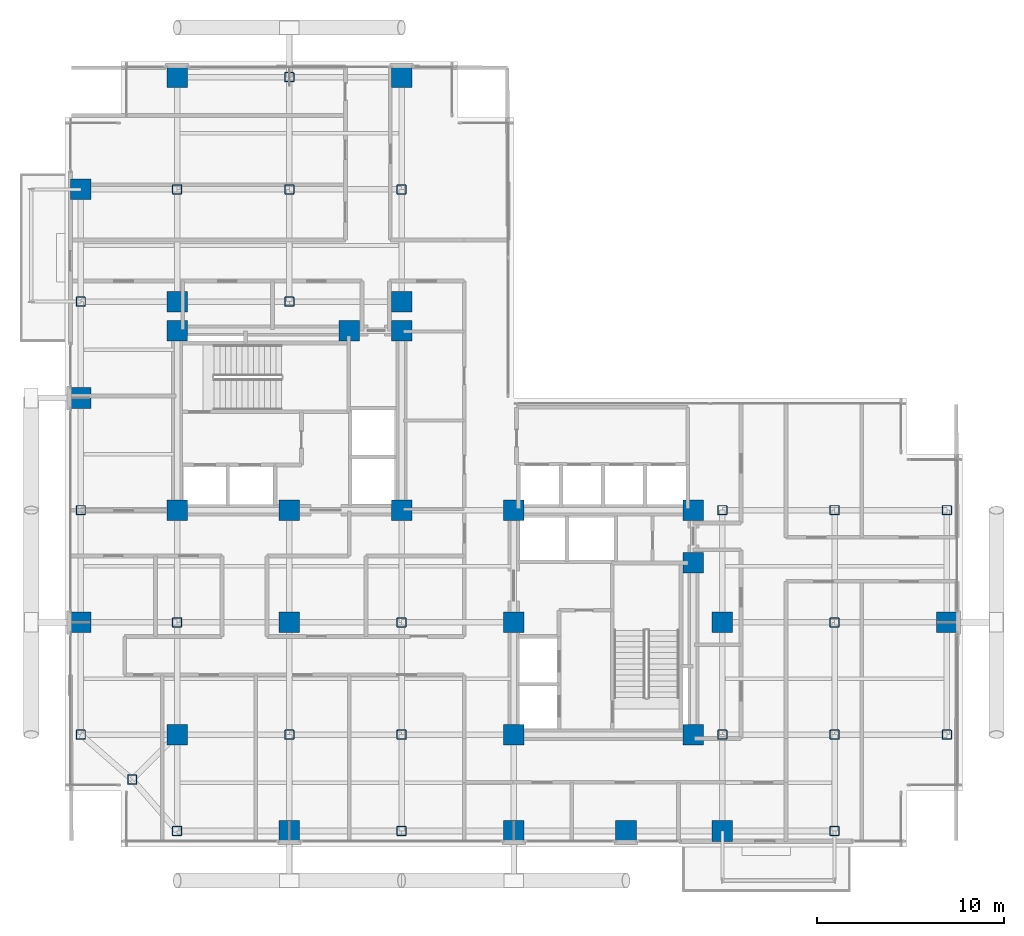
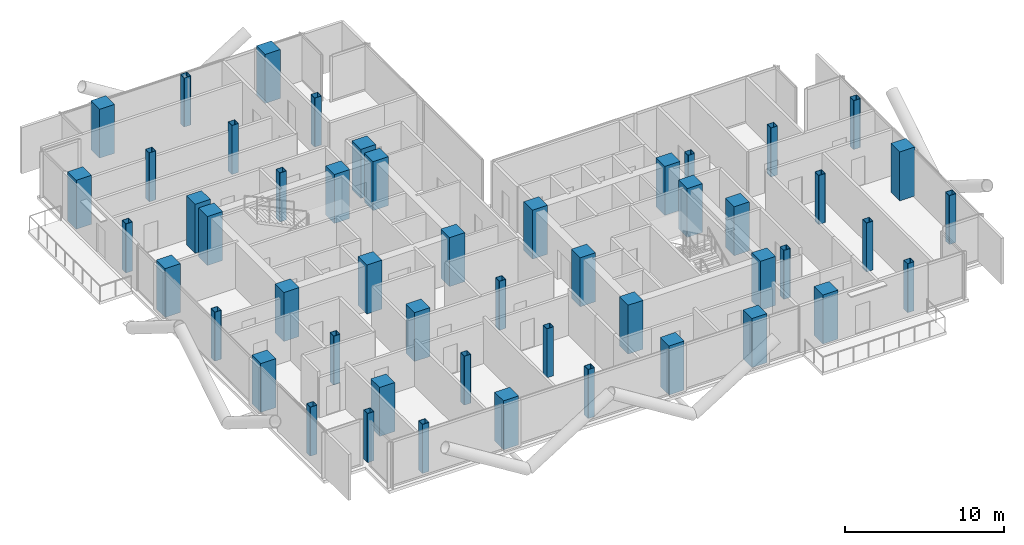
# One storey, part 1 of 28: 50 columns.
"""IFC4 building model written with IfcOpenShell, lengths in metres."""

from ifc_helpers import new_model, si_unit, direction, frame, origin, origin_2d, place, context, subcontext, project, spatial, rectangle, hollow_rectangle, extrude, material, material_profile, profile_set, type_object, element, save


model = new_model("IFC4")

# Units and contexts
model_context = context("Model", 3, precision=1e-05, world=origin(), true_north=direction((0.0, 1.0)))
body_context = subcontext(model_context, "Body", "Model", "MODEL_VIEW")
ifc_project = project(units=[si_unit("LENGTHUNIT", "METRE"), si_unit("AREAUNIT", "SQUARE_METRE"), si_unit("VOLUMEUNIT", "CUBIC_METRE"), si_unit("PLANEANGLEUNIT", "RADIAN"), si_unit("MASSUNIT", "GRAM", prefix="KILO"), si_unit("THERMODYNAMICTEMPERATUREUNIT", "KELVIN"), si_unit("POWERUNIT", "WATT")], contexts=[model_context])

# Site, building, storey
site_placement = place(None, origin())
site = spatial("IfcSite", under=ifc_project, at=site_placement, CompositionType="ELEMENT")
building_placement = place(site_placement, origin())
building = spatial("IfcBuilding", under=site, at=building_placement, Name="Svarakhadi Broadcast Tower", CompositionType="ELEMENT")
storey_placement = place(building_placement, frame((0.0, 0.0, 123.14990234375)))
storey = spatial("IfcBuildingStorey", under=building, at=storey_placement, Name="L29", CompositionType="ELEMENT", Elevation=123.14990234375)

# Columns
ifc_material_1 = material(Name="Concrete C50/60 (IS 456 M60)", Category="concrete")
ifc_material_profile_1 = material_profile(ifc_material_1, rectangle(XDim=1.10009765625, YDim=1.10009765625, at=origin_2d()), Name="RC 1100x1100")
ifc_profile_set_1 = profile_set([ifc_material_profile_1], Name="Concrete C50/60 (IS 456 M60)")
column_type_1 = type_object("IfcColumnType", Name="Col_RC1100", PredefinedType="COLUMN", material=ifc_profile_set_1)
for number, where, z_axis, x_axis, name in (
    (1, (6.0, 18.0, 0.0), (0.0, 0.0, 1.0), (1.0, 0.0, 0.0), "L29 Column CW1"),
    (2, (12.0, 18.0, 0.0), (0.0, 0.0, 1.0), (1.0, 0.0, 0.0), "L29 Column CW2"),
    (3, (18.0, 18.0, 0.0), (0.0, 0.0, 1.0), (1.0, 0.0, 0.0), "L29 Column CW3"),
    (4, (6.0, 27.60009765625, 0.0), (0.0, 0.0, 1.0), (1.0, 0.0, 0.0), "L29 Column CW4"),
    (5, (15.199951171875, 27.60009765625, 0.0), (0.0, 0.0, 1.0), (1.0, 0.0, 0.0), "L29 Column CW5"),
    (6, (18.0, 27.60009765625, 0.0), (0.0, 0.0, 1.0), (1.0, 0.0, 0.0), "L29 Column CW6"),
    (7, (24.0, 6.0, 0.0), (0.0, 0.0, 1.0), (1.0, 0.0, 0.0), "L29 Column CE1"),
    (8, (24.0, 12.0, 0.0), (0.0, 0.0, 1.0), (1.0, 0.0, 0.0), "L29 Column CE2"),
    (9, (24.0, 18.0, 0.0), (0.0, 0.0, 1.0), (1.0, 0.0, 0.0), "L29 Column CE3"),
    (10, (33.60009765625, 6.0, 0.0), (0.0, 0.0, 1.0), (1.0, 0.0, 0.0), "L29 Column CE4"),
    (11, (33.60009765625, 15.199951171875, 0.0), (0.0, 0.0, 1.0), (1.0, 0.0, 0.0), "L29 Column CE5"),
    (12, (33.60009765625, 18.0, 0.0), (0.0, 0.0, 1.0), (1.0, 0.0, 0.0), "L29 Column CE6"),
    (13, (0.85009765625, 12.0, 0.0), (0.0, 0.0, 1.0), (1.0, 0.0, 0.0), "L29 Column G04"),
    (14, (0.85009765625, 24.0, 0.0), (0.0, 0.0, 1.0), (1.0, 0.0, 0.0), "L29 Column G06"),
    (15, (0.85009765625, 35.14990234375, 0.0), (0.0, 0.0, 1.0), (1.0, 0.0, 0.0), "L29 Column G08"),
    (16, (6.0, 6.0, 0.0), (0.0, 0.0, 1.0), (1.0, 0.0, 0.0), "L29 Column G12"),
    (17, (6.0, 29.14990234375, 0.0), (0.0, 0.0, 1.0), (1.0, 0.0, 0.0), "L29 Column G14"),
    (18, (6.0, 41.14990234375, 0.0), (0.0, 0.0, 1.0), (1.0, 0.0, 0.0), "L29 Column G16"),
    (19, (12.0, 0.85009765625, 0.0), (0.0, 0.0, 1.0), (1.0, 0.0, 0.0), "L29 Column G18"),
    (20, (12.0, 12.0, 0.0), (0.0, 0.0, 1.0), (1.0, 0.0, 0.0), "L29 Column G20"),
    (21, (18.0, 29.14990234375, 0.0), (0.0, 0.0, 1.0), (1.0, 0.0, 0.0), "L29 Column G28"),
    (22, (18.0, 41.14990234375, 0.0), (0.0, 0.0, 1.0), (1.0, 0.0, 0.0), "L29 Column G30"),
    (23, (24.0, 0.85009765625, 0.0), (0.0, 0.0, 1.0), (1.0, 0.0, 0.0), "L29 Column G32"),
    (24, (30.0, 0.85009765625, 0.0), (0.0, 0.0, 1.0), (1.0, 0.0, 0.0), "L29 Column G36"),
    (25, (35.14990234375, 0.85009765625, 0.0), (0.0, 0.0, 1.0), (1.0, 0.0, 0.0), "L29 Column G38"),
    (26, (35.14990234375, 12.0, 0.0), (0.0, 0.0, 1.0), (1.0, 0.0, 0.0), "L29 Column G40"),
    (27, (47.14990234375, 12.0, 0.0), (0.0, 0.0, 1.0), (1.0, 0.0, 0.0), "L29 Column G52"),
):
    element("IfcColumn", number, at=place(storey_placement, frame(where, z_axis=z_axis, x_axis=x_axis)), inside=storey, type_object=column_type_1, Name=name, PredefinedType="COLUMN", context=body_context, shape_type="SweptSolid", body=[
        extrude(rectangle(XDim=1.10009765625, YDim=1.10009765625, at=origin_2d()), origin(), (0.0, 0.0, 1.0), 3.75),
    ])
ifc_material_2 = material(Name="Steel S460ML (IS 2062 E450BR)", Category="steel")
ifc_material_profile_2 = material_profile(ifc_material_2, hollow_rectangle(XDim=0.5, YDim=0.5, WallThickness=0.02490234375, InnerFilletRadius=0.02490234375, OuterFilletRadius=0.0400390625, at=origin_2d()), Name="SHS 500x500x25")
ifc_profile_set_2 = profile_set([ifc_material_profile_2], Name="Steel S460ML (IS 2062 E450BR)")
column_type_2 = type_object("IfcColumnType", Name="Col_SHS500", PredefinedType="COLUMN", material=ifc_profile_set_2)
for number, where, z_axis, x_axis, name in (
    (28, (3.60009765625, 3.60009765625, 0.0), (0.0, 0.0, 1.0), (1.0, 0.0, 0.0), "L29 Column G01"),
    (29, (0.85009765625, 6.0, 0.0), (0.0, 0.0, 1.0), (1.0, 0.0, 0.0), "L29 Column G03"),
    (30, (0.85009765625, 18.0, 0.0), (0.0, 0.0, 1.0), (1.0, 0.0, 0.0), "L29 Column G05"),
    (31, (0.85009765625, 29.14990234375, 0.0), (0.0, 0.0, 1.0), (1.0, 0.0, 0.0), "L29 Column G07"),
    (32, (6.0, 0.85009765625, 0.0), (0.0, 0.0, 1.0), (1.0, 0.0, 0.0), "L29 Column G11"),
    (33, (6.0, 12.0, 0.0), (0.0, 0.0, 1.0), (1.0, 0.0, 0.0), "L29 Column G13"),
    (34, (6.0, 35.14990234375, 0.0), (0.0, 0.0, 1.0), (1.0, 0.0, 0.0), "L29 Column G15"),
    (35, (12.0, 6.0, 0.0), (0.0, 0.0, 1.0), (1.0, 0.0, 0.0), "L29 Column G19"),
    (36, (12.0, 29.14990234375, 0.0), (0.0, 0.0, 1.0), (1.0, 0.0, 0.0), "L29 Column G21"),
    (37, (12.0, 35.14990234375, 0.0), (0.0, 0.0, 1.0), (1.0, 0.0, 0.0), "L29 Column G22"),
    (38, (12.0, 41.14990234375, 0.0), (0.0, 0.0, 1.0), (1.0, 0.0, 0.0), "L29 Column G23"),
    (39, (18.0, 0.85009765625, 0.0), (0.0, 0.0, 1.0), (1.0, 0.0, 0.0), "L29 Column G25"),
    (40, (18.0, 6.0, 0.0), (0.0, 0.0, 1.0), (1.0, 0.0, 0.0), "L29 Column G26"),
    (41, (18.0, 12.0, 0.0), (0.0, 0.0, 1.0), (1.0, 0.0, 0.0), "L29 Column G27"),
    (42, (18.0, 35.14990234375, 0.0), (0.0, 0.0, 1.0), (1.0, 0.0, 0.0), "L29 Column G29"),
    (43, (35.14990234375, 6.0, 0.0), (0.0, 0.0, 1.0), (1.0, 0.0, 0.0), "L29 Column G39"),
    (44, (35.14990234375, 18.0, 0.0), (0.0, 0.0, 1.0), (1.0, 0.0, 0.0), "L29 Column G41"),
    (45, (41.14990234375, 0.85009765625, 0.0), (0.0, 0.0, 1.0), (1.0, 0.0, 0.0), "L29 Column G43"),
    (46, (41.14990234375, 6.0, 0.0), (0.0, 0.0, 1.0), (1.0, 0.0, 0.0), "L29 Column G44"),
    (47, (41.14990234375, 12.0, 0.0), (0.0, 0.0, 1.0), (1.0, 0.0, 0.0), "L29 Column G45"),
    (48, (41.14990234375, 18.0, 0.0), (0.0, 0.0, 1.0), (1.0, 0.0, 0.0), "L29 Column G46"),
    (49, (47.14990234375, 6.0, 0.0), (0.0, 0.0, 1.0), (1.0, 0.0, 0.0), "L29 Column G51"),
    (50, (47.14990234375, 18.0, 0.0), (0.0, 0.0, 1.0), (1.0, 0.0, 0.0), "L29 Column G53"),
):
    element("IfcColumn", number, at=place(storey_placement, frame(where, z_axis=z_axis, x_axis=x_axis)), inside=storey, type_object=column_type_2, Name=name, PredefinedType="COLUMN", context=body_context, shape_type="SweptSolid", body=[
        extrude(hollow_rectangle(XDim=0.5, YDim=0.5, WallThickness=0.02490234375, InnerFilletRadius=0.02490234375, OuterFilletRadius=0.0400390625, at=origin_2d()), origin(), (0.0, 0.0, 1.0), 3.75),
    ])

save(model, "model.ifc")
